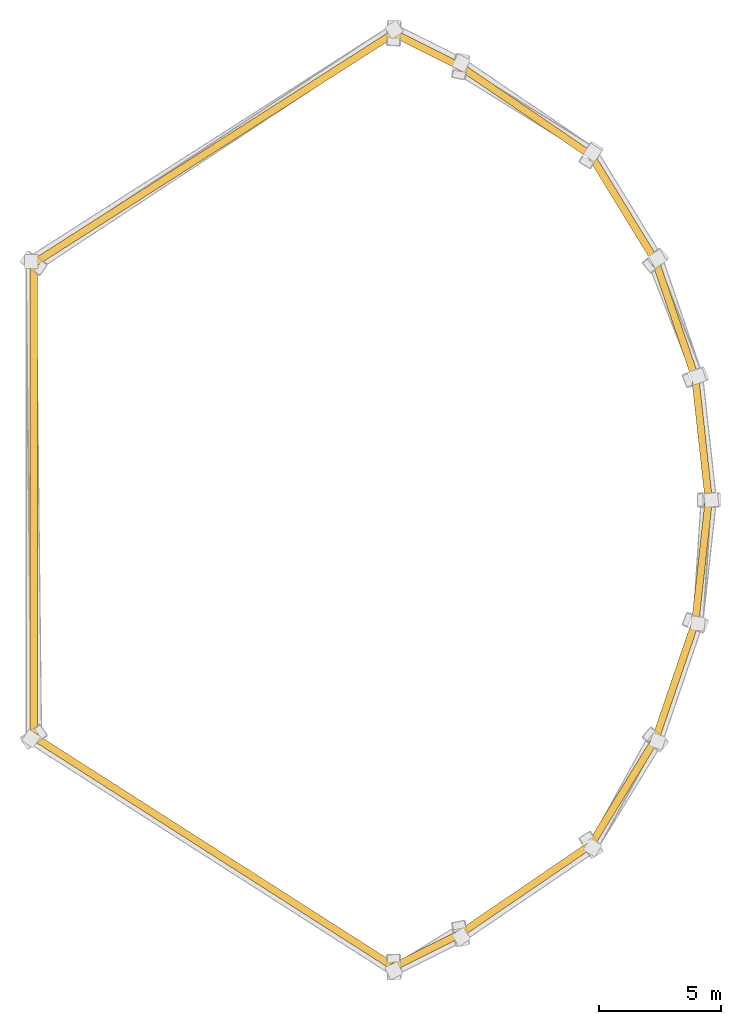
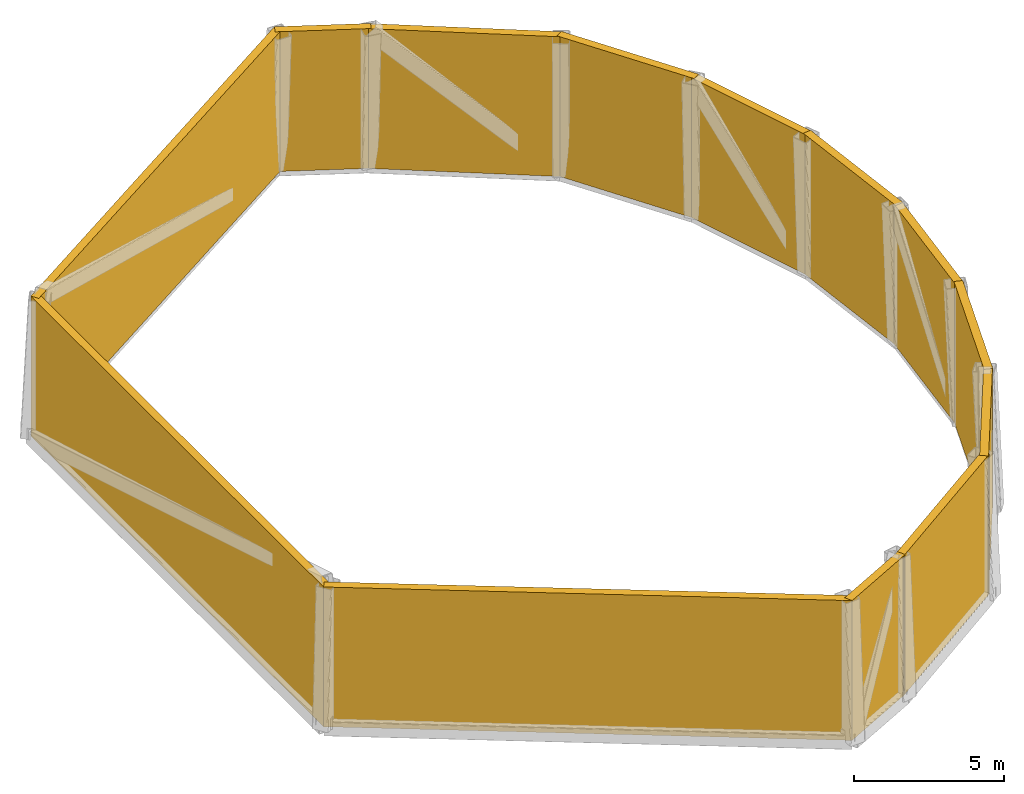
# One storey, part 2 of 2: 13 shading devices.
"""IFC4 building model written with IfcOpenShell, lengths in metres."""

from ifc_helpers import new_model, si_unit, direction, frame, origin, origin_2d, place, context, subcontext, project, spatial, rectangle, extrude, material, type_object, element, save


model = new_model("IFC4")

# Units and contexts
model_context = context("Model", 3, precision=1e-05, world=origin(), true_north=direction((0.0, 1.0)))
body_context = subcontext(model_context, "Body", "Model", "MODEL_VIEW")
ifc_project = project(units=[si_unit("LENGTHUNIT", "METRE"), si_unit("AREAUNIT", "SQUARE_METRE"), si_unit("VOLUMEUNIT", "CUBIC_METRE"), si_unit("PLANEANGLEUNIT", "RADIAN"), si_unit("MASSUNIT", "GRAM", prefix="KILO")], contexts=[model_context])

# Site, building, storey
site_placement = place(None, origin())
site = spatial("IfcSite", under=ifc_project, at=site_placement, CompositionType="ELEMENT")
building_placement = place(site_placement, origin())
building = spatial("IfcBuilding", under=site, at=building_placement, Name="Qorvath Tower", CompositionType="ELEMENT")
storey_placement = place(building_placement, frame((0.0, 0.0, 345.0)))
storey = spatial("IfcBuildingStorey", under=building, at=storey_placement, Name="L80", CompositionType="ELEMENT", Elevation=345.0)

# Shading devices
ifc_material = material(Name="Anodised bronze-champagne aluminium", Category="aluminium")
shading_device_type = type_object("IfcShadingDeviceType", Name="SD-SCREEN", PredefinedType="USERDEFINED", material=ifc_material)
shading_device_1_placement = place(storey_placement, frame((-33.94091796875, 0.0, -0.0400390625), z_axis=(0.0, 0.0, 1.0), x_axis=(0.0, -1.0, 0.0)))
element("IfcShadingDevice", 1, at=shading_device_1_placement, inside=storey, type_object=shading_device_type, Name="Crown Acoustic Louvre Screen L80-01", PredefinedType="NOTDEFINED", context=body_context, shape_type="SweptSolid", body=[
    extrude(rectangle(XDim=19.49169921875, YDim=0.300048828125, at=origin_2d()), origin(), (0.0, 0.0, 1.0), 5.679931640625),
])
shading_device_2_placement = place(storey_placement, frame((-26.59130859375, -14.363037109375, -0.0400390625), z_axis=(0.0, 0.0, 1.0), x_axis=(0.84260751692, -0.538528153796, 0.0)))
element("IfcShadingDevice", 2, at=shading_device_2_placement, inside=storey, type_object=shading_device_type, Name="Crown Acoustic Louvre Screen L80-02", PredefinedType="NOTDEFINED", context=body_context, shape_type="SweptSolid", body=[
    extrude(rectangle(XDim=17.605224609375, YDim=0.300048828125, at=origin_2d()), origin(), (0.0, 0.0, 1.0), 5.679931640625),
])
shading_device_3_placement = place(storey_placement, frame((-17.880126953125, -18.379638671875, -0.0400390625), z_axis=(0.0, 0.0, 1.0), x_axis=(0.894420565542, 0.44722684617, 0.0)))
element("IfcShadingDevice", 3, at=shading_device_3_placement, inside=storey, type_object=shading_device_type, Name="Crown Acoustic Louvre Screen L80-03", PredefinedType="NOTDEFINED", context=body_context, shape_type="SweptSolid", body=[
    extrude(rectangle(XDim=3.204345703125, YDim=0.300048828125, at=origin_2d()), origin(), (0.0, 0.0, 1.0), 5.679931640625),
])
shading_device_4_placement = place(storey_placement, frame((-13.85791015625, -15.887939453125, -0.0400390625), z_axis=(0.0, 0.0, 1.0), x_axis=(0.8266663593, 0.562692394121, 0.0)))
element("IfcShadingDevice", 4, at=shading_device_4_placement, inside=storey, type_object=shading_device_type, Name="Crown Acoustic Louvre Screen L80-04", PredefinedType="NOTDEFINED", context=body_context, shape_type="SweptSolid", body=[
    extrude(rectangle(XDim=6.597412109375, YDim=0.300048828125, at=origin_2d()), origin(), (0.0, 0.0, 1.0), 5.679931640625),
])
for number, where, z_axis, x_axis, name in (
    (5, (-9.8818359375, -11.92724609375, -0.0400390625), (0.0, 0.0, 1.0), (0.52190913739, 0.853001085761, 0.0), "Crown Acoustic Louvre Screen L80-05"),
    (6, (-7.75146484375, -7.3935546875, -0.0400390625), (0.0, 0.0, 1.0), (0.323577243796, 0.94620175824, 0.0), "Crown Acoustic Louvre Screen L80-06"),
    (7, (-6.659912109375, -2.504638671875, -0.0400390625), (0.0, 0.0, 1.0), (0.109569504616, 0.99397913643, 0.0), "Crown Acoustic Louvre Screen L80-07"),
    (8, (-6.659912109375, 2.504638671875, -0.0400390625), (0.0, 0.0, 1.0), (-0.109569504616, 0.99397913643, 0.0), "Crown Acoustic Louvre Screen L80-08"),
    (9, (-7.75146484375, 7.3935546875, -0.0400390625), (0.0, 0.0, 1.0), (-0.323577243796, 0.94620175824, 0.0), "Crown Acoustic Louvre Screen L80-09"),
    (10, (-9.8818359375, 11.92724609375, -0.0400390625), (0.0, 0.0, 1.0), (-0.52190913739, 0.853001085761, 0.0), "Crown Acoustic Louvre Screen L80-10"),
):
    element("IfcShadingDevice", number, at=place(storey_placement, frame(where, z_axis=z_axis, x_axis=x_axis)), inside=storey, type_object=shading_device_type, Name=name, PredefinedType="NOTDEFINED", context=body_context, shape_type="SweptSolid", body=[
        extrude(rectangle(XDim=5.19970703125, YDim=0.300048828125, at=origin_2d()), origin(), (0.0, 0.0, 1.0), 5.679931640625),
    ])
shading_device_5_placement = place(storey_placement, frame((-13.85791015625, 15.887939453125, -0.0400390625), z_axis=(0.0, 0.0, 1.0), x_axis=(-0.8266663593, 0.562692394121, 0.0)))
element("IfcShadingDevice", 11, at=shading_device_5_placement, inside=storey, type_object=shading_device_type, Name="Crown Acoustic Louvre Screen L80-11", PredefinedType="NOTDEFINED", context=body_context, shape_type="SweptSolid", body=[
    extrude(rectangle(XDim=6.597412109375, YDim=0.300048828125, at=origin_2d()), origin(), (0.0, 0.0, 1.0), 5.679931640625),
])
shading_device_6_placement = place(storey_placement, frame((-17.880126953125, 18.379638671875, -0.0400390625), z_axis=(0.0, 0.0, 1.0), x_axis=(-0.894420565542, 0.44722684617, 0.0)))
element("IfcShadingDevice", 12, at=shading_device_6_placement, inside=storey, type_object=shading_device_type, Name="Crown Acoustic Louvre Screen L80-12", PredefinedType="NOTDEFINED", context=body_context, shape_type="SweptSolid", body=[
    extrude(rectangle(XDim=3.204345703125, YDim=0.300048828125, at=origin_2d()), origin(), (0.0, 0.0, 1.0), 5.679931640625),
])
shading_device_7_placement = place(storey_placement, frame((-26.59130859375, 14.363037109375, -0.0400390625), z_axis=(0.0, 0.0, 1.0), x_axis=(-0.84260751692, -0.538528153796, 0.0)))
element("IfcShadingDevice", 13, at=shading_device_7_placement, inside=storey, type_object=shading_device_type, Name="Crown Acoustic Louvre Screen L80-13", PredefinedType="NOTDEFINED", context=body_context, shape_type="SweptSolid", body=[
    extrude(rectangle(XDim=17.605224609375, YDim=0.300048828125, at=origin_2d()), origin(), (0.0, 0.0, 1.0), 5.679931640625),
])

save(model, "model.ifc")
